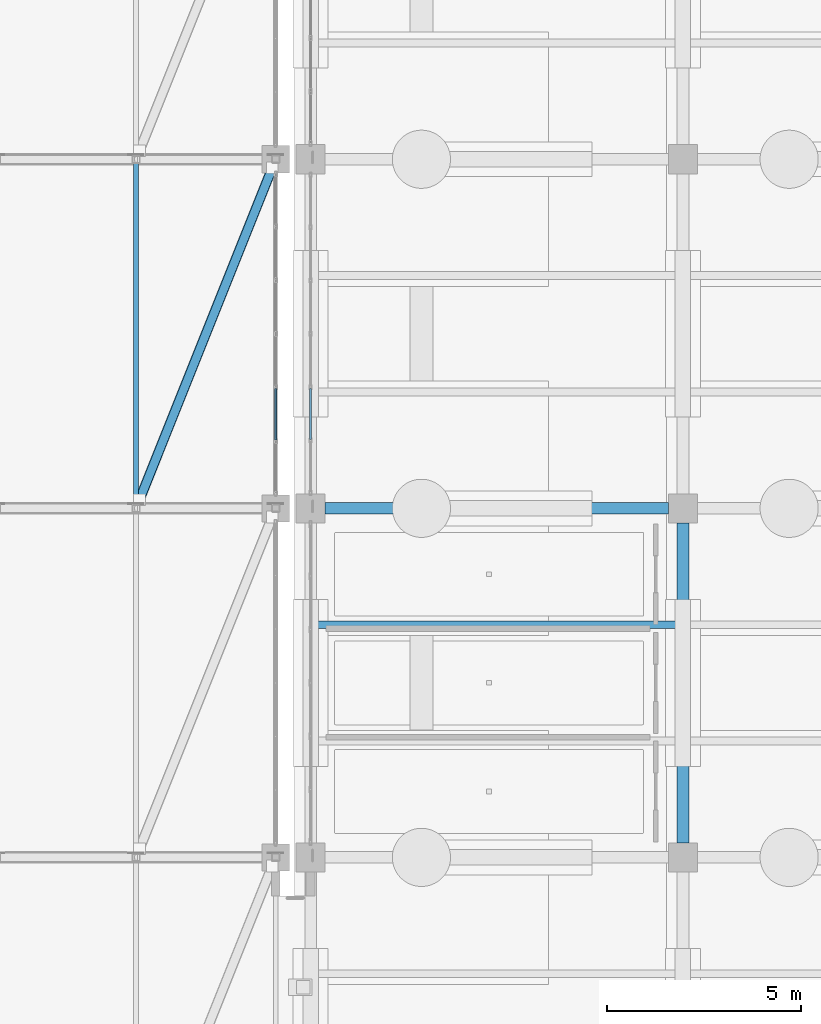
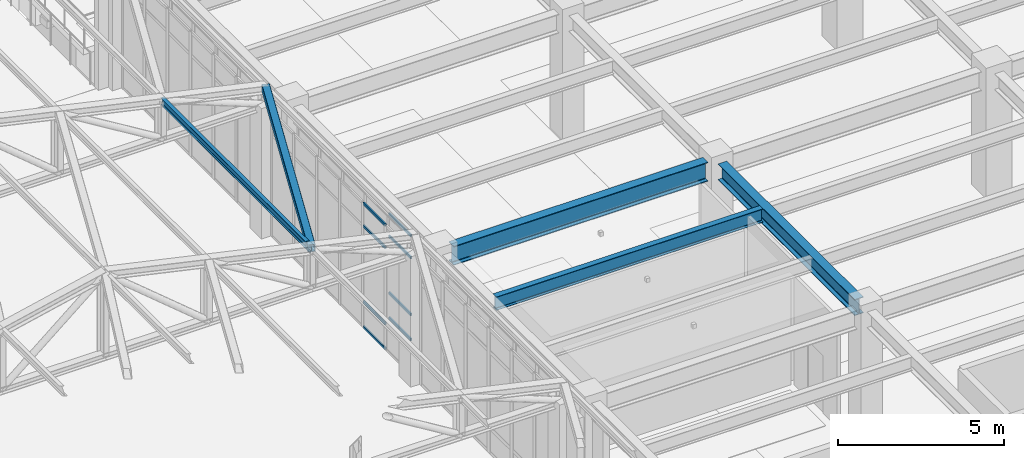
# One storey, part 48 of 139: 10 members, 3 beams, 2 elements without a shape of their own.
"""IFC4 building model written with IfcOpenShell, lengths in metres."""

from ifc_helpers import new_model, si_unit, direction, frame, origin, origin_2d, place, context, subcontext, project, spatial, hollow_rectangle, i_section, extrude, material, material_profile, profile_set, type_object, element, aggregate, save


model = new_model("IFC4")

# Units and contexts
model_context = context("Model", 3, precision=1e-05, world=origin(), true_north=direction((0.0, 1.0)))
body_context = subcontext(model_context, "Body", "Model", "MODEL_VIEW")
ifc_project = project(units=[si_unit("LENGTHUNIT", "METRE"), si_unit("AREAUNIT", "SQUARE_METRE"), si_unit("VOLUMEUNIT", "CUBIC_METRE"), si_unit("PLANEANGLEUNIT", "RADIAN"), si_unit("MASSUNIT", "GRAM", prefix="KILO")], contexts=[model_context])

# Site, building, storey
site_placement = place(None, origin())
site = spatial("IfcSite", under=ifc_project, at=site_placement, CompositionType="ELEMENT")
building_placement = place(site_placement, origin())
building = spatial("IfcBuilding", under=site, at=building_placement, Name="Canglan Escarpment Cableway Terminal", CompositionType="ELEMENT")
storey_placement = place(building_placement, frame((0.0, 0.0, 14.39990234375)))
storey = spatial("IfcBuildingStorey", under=building, at=storey_placement, Name="L03", CompositionType="ELEMENT", Elevation=14.39990234375)

# Beams
ifc_material_1 = material(Name="Steel Q355C", Category="steel")
ifc_material_profile_1 = material_profile(ifc_material_1, i_section(OverallWidth=0.302001953125, OverallDepth=0.593994140625, WebThickness=0.013916015625, FlangeThickness=0.02294921875, FilletRadius=0.028076171875, at=origin_2d()), Name="HM 594x302x14x23")
ifc_profile_set_1 = profile_set([ifc_material_profile_1], Name="Steel Q355C")
beam_type_1 = type_object("IfcBeamType", Name="BM-HM594", PredefinedType="BEAM", material=ifc_profile_set_1)
beam_1_placement = place(storey_placement, frame((147.199951171875, 52.375, 4.203125), z_axis=(0.0, 1.0, 0.0), x_axis=(-1.0, 0.0, 0.0)))
element("IfcBeam", 1, at=beam_1_placement, inside=storey, type_object=beam_type_1, Name="Primary transverse girder B-07", PredefinedType="BEAM", context=body_context, shape_type="SweptSolid", body=[
    extrude(i_section(OverallWidth=0.302001953125, OverallDepth=0.593994140625, WebThickness=0.013916015625, FlangeThickness=0.02294921875, FilletRadius=0.028076171875, at=origin_2d()), origin(), (0.0, 0.0, 1.0), 8.25),
])
ifc_material_profile_2 = material_profile(ifc_material_1, i_section(OverallWidth=0.300048828125, OverallDepth=0.699951171875, WebThickness=0.012939453125, FlangeThickness=0.02392578125, FilletRadius=0.028076171875, at=origin_2d()), Name="HN 700x300x13x24")
ifc_profile_set_2 = profile_set([ifc_material_profile_2], Name="Steel Q355C")
beam_type_2 = type_object("IfcBeamType", Name="BM-HN700", PredefinedType="BEAM", material=ifc_profile_set_2)
beam_2_placement = place(storey_placement, frame((137.97509765625, 61.0, 4.150146484375), z_axis=(1.0, 0.0, 0.0), x_axis=(0.0, 1.0, 0.0)))
element("IfcBeam", 2, at=beam_2_placement, inside=storey, type_object=beam_type_2, Name="Primary structural girder B-06", PredefinedType="BEAM", context=body_context, shape_type="SweptSolid", body=[
    extrude(i_section(OverallWidth=0.300048828125, OverallDepth=0.699951171875, WebThickness=0.012939453125, FlangeThickness=0.02392578125, FilletRadius=0.028076171875, at=origin_2d()), origin(), (0.0, 0.0, 1.0), 8.849853515625),
])

# Curtain wall, members
ifc_material_2 = material(Name="Anodized bronze aluminium and Low-E double glazing", Category="aluminium")
curtain_wall_type_1 = type_object("IfcCurtainWallType", Name="CW-BAY-8300x4600", PredefinedType="NOTDEFINED", material=ifc_material_2)
curtain_wall_1_placement = place(storey_placement, origin())
curtain_wall_1 = element("IfcCurtainWall", 3, at=curtain_wall_1_placement, inside=storey, type_object=curtain_wall_type_1, Name="Classical bay-between-piers glazed curtain wall CW-45", PredefinedType="NOTDEFINED")
ifc_material_3 = material(Name="Thermally broken anodized aluminium 6063-T6", Category="aluminium")
ifc_material_profile_3 = material_profile(ifc_material_3, hollow_rectangle(XDim=0.054931640625, YDim=0.094970703125, WallThickness=0.0029296875, InnerFilletRadius=0.0029296875, OuterFilletRadius=0.006103515625, at=origin_2d()), Name="ALU-TRAN 55x95x3")
ifc_profile_set_3 = profile_set([ifc_material_profile_3], Name="Thermally broken anodized aluminium 6063-T6")
member_type_1 = type_object("IfcMemberType", Name="CWT-01", PredefinedType="USERDEFINED", material=ifc_profile_set_3)
member_1_placement = place(storey_placement, frame((136.699951171875, 62.763427734375, 0.027587890625), z_axis=(0.0, 1.0, 0.0), x_axis=(-1.0, 0.0, 0.0)))
member_1 = element("IfcMember", 4, at=member_1_placement, type_object=member_type_1, Name="CW-45 transom 2.1", ObjectType="TRANSOM", PredefinedType="USERDEFINED", context=body_context, shape_type="SweptSolid", body=[
    extrude(hollow_rectangle(XDim=0.054931640625, YDim=0.094970703125, WallThickness=0.0029296875, InnerFilletRadius=0.0029296875, OuterFilletRadius=0.006103515625, at=origin_2d()), origin(), (0.0, 0.0, 1.0), 1.3232421875),
])
member_2_placement = place(storey_placement, frame((136.699951171875, 62.763427734375, 0.9501953125), z_axis=(0.0, 1.0, 0.0), x_axis=(-1.0, 0.0, 0.0)))
member_2 = element("IfcMember", 5, at=member_2_placement, type_object=member_type_1, Name="CW-45 transom 2.2", ObjectType="TRANSOM", PredefinedType="USERDEFINED", context=body_context, shape_type="SweptSolid", body=[
    extrude(hollow_rectangle(XDim=0.054931640625, YDim=0.094970703125, WallThickness=0.0029296875, InnerFilletRadius=0.0029296875, OuterFilletRadius=0.006103515625, at=origin_2d()), origin(), (0.0, 0.0, 1.0), 1.3232421875),
])
member_3_placement = place(storey_placement, frame((136.699951171875, 62.763427734375, 3.75), z_axis=(0.0, 1.0, 0.0), x_axis=(-1.0, 0.0, 0.0)))
member_3 = element("IfcMember", 6, at=member_3_placement, type_object=member_type_1, Name="CW-45 transom 2.3", ObjectType="TRANSOM", PredefinedType="USERDEFINED", context=body_context, shape_type="SweptSolid", body=[
    extrude(hollow_rectangle(XDim=0.054931640625, YDim=0.094970703125, WallThickness=0.0029296875, InnerFilletRadius=0.0029296875, OuterFilletRadius=0.006103515625, at=origin_2d()), origin(), (0.0, 0.0, 1.0), 1.3232421875),
])
member_4_placement = place(storey_placement, frame((136.699951171875, 62.763427734375, 4.572509765625), z_axis=(0.0, 1.0, 0.0), x_axis=(-1.0, 0.0, 0.0)))
member_4 = element("IfcMember", 7, at=member_4_placement, type_object=member_type_1, Name="CW-45 transom 2.4", ObjectType="TRANSOM", PredefinedType="USERDEFINED", context=body_context, shape_type="SweptSolid", body=[
    extrude(hollow_rectangle(XDim=0.054931640625, YDim=0.094970703125, WallThickness=0.0029296875, InnerFilletRadius=0.0029296875, OuterFilletRadius=0.006103515625, at=origin_2d()), origin(), (0.0, 0.0, 1.0), 1.3232421875),
])
aggregate(curtain_wall_1, [member_1, member_2, member_3, member_4])

curtain_wall_type_2 = type_object("IfcCurtainWallType", Name="CW-BAY-8250x3900", PredefinedType="NOTDEFINED", material=ifc_material_2)
curtain_wall_2_placement = place(storey_placement, origin())
curtain_wall_2 = element("IfcCurtainWall", 8, at=curtain_wall_2_placement, inside=storey, type_object=curtain_wall_type_2, Name="Classical bay-between-piers glazed curtain wall CW-62", PredefinedType="NOTDEFINED")
member_5_placement = place(storey_placement, frame((137.60009765625, 64.094970703125, 0.027587890625), z_axis=(0.0, -1.0, 0.0), x_axis=(1.0, 0.0, 0.0)))
member_5 = element("IfcMember", 9, at=member_5_placement, type_object=member_type_1, Name="CW-62 transom 5.1", ObjectType="TRANSOM", PredefinedType="USERDEFINED", context=body_context, shape_type="SweptSolid", body=[
    extrude(hollow_rectangle(XDim=0.054931640625, YDim=0.094970703125, WallThickness=0.0029296875, InnerFilletRadius=0.0029296875, OuterFilletRadius=0.006103515625, at=origin_2d()), origin(), (0.0, 0.0, 1.0), 1.31494140625),
])
member_6_placement = place(storey_placement, frame((137.60009765625, 64.094970703125, 0.9501953125), z_axis=(0.0, -1.0, 0.0), x_axis=(1.0, 0.0, 0.0)))
member_6 = element("IfcMember", 10, at=member_6_placement, type_object=member_type_1, Name="CW-62 transom 5.2", ObjectType="TRANSOM", PredefinedType="USERDEFINED", context=body_context, shape_type="SweptSolid", body=[
    extrude(hollow_rectangle(XDim=0.054931640625, YDim=0.094970703125, WallThickness=0.0029296875, InnerFilletRadius=0.0029296875, OuterFilletRadius=0.006103515625, at=origin_2d()), origin(), (0.0, 0.0, 1.0), 1.31494140625),
])
member_7_placement = place(storey_placement, frame((137.60009765625, 64.094970703125, 3.041015625), z_axis=(0.0, -1.0, 0.0), x_axis=(1.0, 0.0, 0.0)))
member_7 = element("IfcMember", 11, at=member_7_placement, type_object=member_type_1, Name="CW-62 transom 5.3", ObjectType="TRANSOM", PredefinedType="USERDEFINED", context=body_context, shape_type="SweptSolid", body=[
    extrude(hollow_rectangle(XDim=0.054931640625, YDim=0.094970703125, WallThickness=0.0029296875, InnerFilletRadius=0.0029296875, OuterFilletRadius=0.006103515625, at=origin_2d()), origin(), (0.0, 0.0, 1.0), 1.31494140625),
])
member_8_placement = place(storey_placement, frame((137.60009765625, 64.094970703125, 3.863525390625), z_axis=(0.0, -1.0, 0.0), x_axis=(1.0, 0.0, 0.0)))
member_8 = element("IfcMember", 12, at=member_8_placement, type_object=member_type_1, Name="CW-62 transom 5.4", ObjectType="TRANSOM", PredefinedType="USERDEFINED", context=body_context, shape_type="SweptSolid", body=[
    extrude(hollow_rectangle(XDim=0.054931640625, YDim=0.094970703125, WallThickness=0.0029296875, InnerFilletRadius=0.0029296875, OuterFilletRadius=0.006103515625, at=origin_2d()), origin(), (0.0, 0.0, 1.0), 1.31494140625),
])
aggregate(curtain_wall_2, [member_5, member_6, member_7, member_8])

# Beam
ifc_material_4 = material(Name="Steel Q355B", Category="steel")
ifc_material_profile_4 = material_profile(ifc_material_4, i_section(OverallWidth=0.199951171875, OverallDepth=0.5, WebThickness=0.010009765625, FlangeThickness=0.01611328125, FilletRadius=0.02001953125, at=origin_2d()), Name="HN 500x200x10x16")
ifc_profile_set_4 = profile_set([ifc_material_profile_4], Name="Steel Q355B")
beam_type_3 = type_object("IfcBeamType", Name="JS-HN500", PredefinedType="JOIST", material=ifc_profile_set_4)
beam_3_placement = place(storey_placement, frame((137.7509765625, 58.0, 4.25), z_axis=(1.0, 0.0, 0.0), x_axis=(0.0, 1.0, 0.0)))
element("IfcBeam", 13, at=beam_3_placement, inside=storey, type_object=beam_type_3, Name="Secondary composite deck joist J-01", PredefinedType="JOIST", context=body_context, shape_type="SweptSolid", body=[
    extrude(i_section(OverallWidth=0.199951171875, OverallDepth=0.5, WebThickness=0.010009765625, FlangeThickness=0.01611328125, FilletRadius=0.02001953125, at=origin_2d()), origin(), (0.0, 0.0, 1.0), 9.298095703125),
])

# Members
ifc_material_profile_5 = material_profile(ifc_material_4, hollow_rectangle(XDim=0.25, YDim=0.25, WallThickness=0.010009765625, InnerFilletRadius=0.010009765625, OuterFilletRadius=0.02001953125, at=origin_2d()), Name="SHS 250x250x10")
ifc_profile_set_5 = profile_set([ifc_material_profile_5], Name="Steel Q355B")
member_type_2 = type_object("IfcMemberType", Name="MB-FRAME-BR-SHS250", PredefinedType="BRACE", material=ifc_profile_set_5)
member_9_placement = place(storey_placement, frame((133.10009765625, 61.0, 6.050048828125), z_axis=(0.37011910414, 0.925335412344, -0.082257056919), x_axis=(-0.928481901832, 0.371377648723, 0.0)))
element("IfcMember", 14, at=member_9_placement, inside=storey, type_object=member_type_2, Name="Cabin Garage roof lateral brace BR-02", PredefinedType="BRACE", context=body_context, shape_type="SweptSolid", body=[
    extrude(hollow_rectangle(XDim=0.25, YDim=0.25, WallThickness=0.010009765625, InnerFilletRadius=0.010009765625, OuterFilletRadius=0.02001953125, at=origin_2d()), origin(), (0.0, 0.0, 1.0), 9.726318359375),
])
ifc_material_profile_6 = material_profile(ifc_material_4, i_section(OverallWidth=0.125, OverallDepth=0.25, WebThickness=0.006103515625, FlangeThickness=0.009033203125, FilletRadius=0.011962890625, at=origin_2d()), Name="HN 250x125x6x9")
ifc_profile_set_6 = profile_set([ifc_material_profile_6], Name="Steel Q355B")
member_type_3 = type_object("IfcMemberType", Name="MB-GARAGE-PUR-HN250", PredefinedType="PURLIN", material=ifc_profile_set_6)
member_10_placement = place(storey_placement, frame((133.10009765625, 61.0, 6.030029296875), z_axis=(0.0, 1.0, 0.0), x_axis=(-1.0, 0.0, 0.0)))
element("IfcMember", 15, at=member_10_placement, inside=storey, type_object=member_type_3, Name="Cabin Garage roof purlin PR-02", PredefinedType="PURLIN", context=body_context, shape_type="SweptSolid", body=[
    extrude(i_section(OverallWidth=0.125, OverallDepth=0.25, WebThickness=0.006103515625, FlangeThickness=0.009033203125, FilletRadius=0.011962890625, at=origin_2d()), origin(), (0.0, 0.0, 1.0), 9.0),
])

save(model, "model.ifc")
